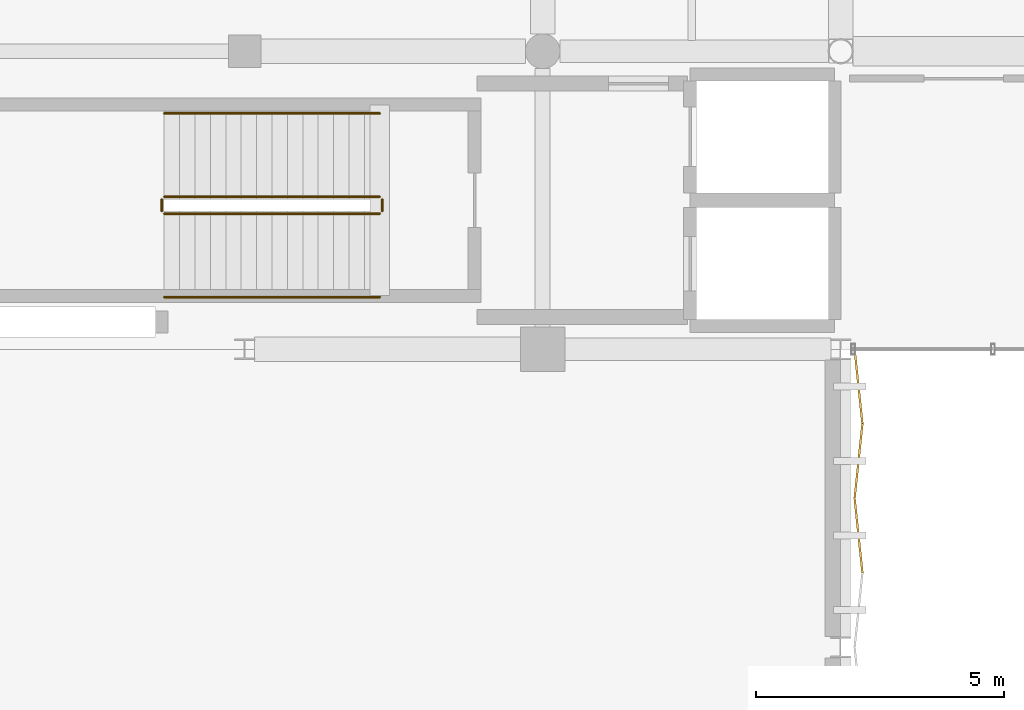
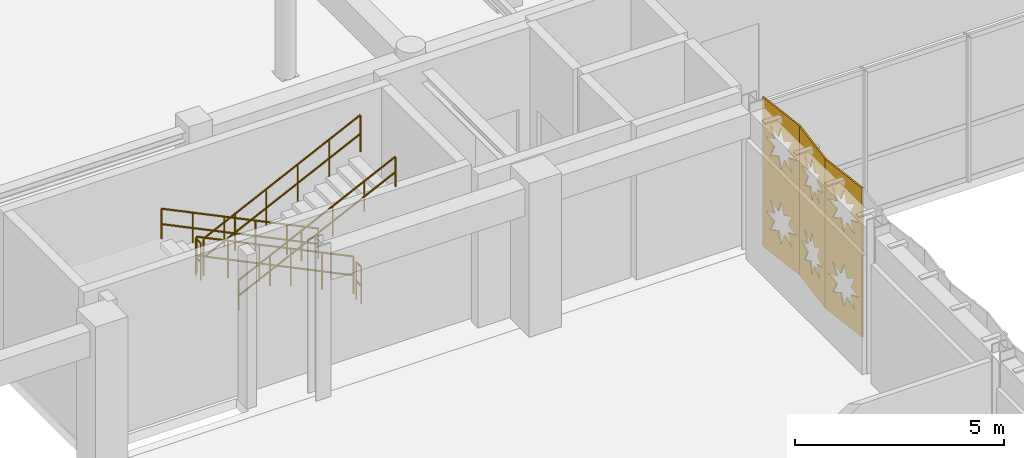
# One storey, part 115 of 116: 6 railings, 3 coverings.
"""IFC4 building model written with IfcOpenShell, lengths in metres."""

from ifc_helpers import new_model, si_unit, direction, frame, origin, origin_2d, place, context, subcontext, project, spatial, polyline, circle, outline, extrude, material, layer, layer_set, type_object, element, save


model = new_model("IFC4")

# Units and contexts
model_context = context("Model", 3, precision=1e-05, world=origin(), true_north=direction((0.0, 1.0)))
body_context = subcontext(model_context, "Body", "Model", "MODEL_VIEW")
ifc_project = project(units=[si_unit("LENGTHUNIT", "METRE"), si_unit("AREAUNIT", "SQUARE_METRE"), si_unit("VOLUMEUNIT", "CUBIC_METRE"), si_unit("PLANEANGLEUNIT", "RADIAN"), si_unit("MASSUNIT", "GRAM", prefix="KILO"), si_unit("THERMODYNAMICTEMPERATUREUNIT", "KELVIN"), si_unit("POWERUNIT", "WATT")], contexts=[model_context])

# Site, building, storey
site_placement = place(None, origin())
site = spatial("IfcSite", under=ifc_project, at=site_placement, CompositionType="ELEMENT")
building_placement = place(site_placement, origin())
building = spatial("IfcBuilding", under=site, at=building_placement, Name="Phaisarnlok Congress Hotel", CompositionType="ELEMENT")
storey_placement = place(building_placement, frame((0.0, 0.0, 10.5)))
storey = spatial("IfcBuildingStorey", under=building, at=storey_placement, Name="L02", CompositionType="ELEMENT", Elevation=10.5)

# Coverings
ifc_material_1 = material(Name="PVDF White Perforated Aluminium Alloy 5052", Category="aluminium")
ifc_layer = layer(ifc_material_1, 0.0400390625, Name="PVDF White Perforated Aluminium Alloy 5052")
ifc_layer_set = layer_set([ifc_layer], Name="PVDF White Perforated Aluminium Alloy 5052")
covering_type = type_object("IfcCoveringType", Name="COV-STAR-FOLD", PredefinedType="CLADDING", material=ifc_layer_set)
for number, where, z_axis, x_axis, name in (
    (1, (144.300048828125, 33.0, 0.06005859375), (-0.994517863207, -0.104566819602, 0.0), (0.104566819602, -0.994517863207, 0.0), "Folded star-perforated hall screen SS-02 (V2E L02)"),
    (2, (144.457763671875, 34.5, 0.06005859375), (-0.994517863207, 0.104566819602, 0.0), (-0.104566819602, -0.994517863207, 0.0), "Folded star-perforated hall screen SS-02 (V2E L02)"),
    (3, (144.300048828125, 36.0, 0.06005859375), (-0.994517863207, -0.104566819602, 0.0), (0.104566819602, -0.994517863207, 0.0), "Folded star-perforated hall screen SS-02 (V2E L02)"),
):
    element("IfcCovering", number, at=place(storey_placement, frame(where, z_axis=z_axis, x_axis=x_axis)), inside=storey, type_object=covering_type, Name=name, PredefinedType="CLADDING", context=body_context, shape_type="SweptSolid", body=[
        extrude(outline(polyline([(0.0, 0.0), (1.5082685344258453, 0.0), (1.5082685344258453, 4.35986328125), (0.0, 4.35986328125), (0.0, 0.0)]), holes=[polyline([(1.0351, 0.9736), (1.2021, 0.6421), (0.8705, 0.8091), (0.7541, 0.4565), (0.6378, 0.8091), (0.3062, 0.6421), (0.4732, 0.9736), (0.1207, 1.09), (0.4732, 1.2064), (0.3062, 1.5379), (0.6378, 1.3709), (0.7541, 1.7235), (0.8705, 1.3709), (1.2021, 1.5379), (1.0351, 1.2064), (1.3876, 1.09), (1.0351, 0.9736)]), polyline([(1.0351, 3.1536), (1.2021, 2.8221), (0.8705, 2.9891), (0.7541, 2.6365), (0.6378, 2.9891), (0.3062, 2.8221), (0.4732, 3.1536), (0.1207, 3.27), (0.4732, 3.3864), (0.3062, 3.7179), (0.6378, 3.5509), (0.7541, 3.9035), (0.8705, 3.5509), (1.2021, 3.7179), (1.0351, 3.3864), (1.3876, 3.27), (1.0351, 3.1536)])]), origin(), (0.0, 0.0, 1.0), 0.0400390625),
    ])

# Railings
ifc_material_2 = material(Name="Painted Galvanised Steel S275", Category="steel")
railing_type_1 = type_object("IfcRailingType", Name="RLG-STR-GUARD", PredefinedType="BALUSTRADE", material=ifc_material_2)
railing_1_placement = place(storey_placement, frame((134.719970703125, 39.070068359375, 0.14990234375)))
element("IfcRailing", 4, at=railing_1_placement, inside=storey, type_object=railing_type_1, Name="L02 ST-02 stair guard 1", PredefinedType="BALUSTRADE", context=body_context, shape_type="SweptSolid", body=[
    extrude(circle(Radius=0.02392578125, at=origin_2d()), frame((0.0, 0.0, 1.076171875), z_axis=(-0.900154768424, 0.0, 0.435570192832), x_axis=(0.0, -1.0, 0.0)), (0.0, 0.0, 1.0), 4.821533203125),
    extrude(circle(Radius=0.02392578125, at=origin_2d()), frame((0.0, 0.0, 0.52587890625), z_axis=(-0.900154768424, 0.0, 0.435570192832), x_axis=(0.0, -1.0, 0.0)), (0.0, 0.0, 1.0), 4.821533203125),
    extrude(circle(Radius=0.02099609375, at=origin_2d()), origin(), (0.0, 0.0, 1.0), 1.052001953125),
    extrude(circle(Radius=0.02099609375, at=origin_2d()), frame((-0.867919921875, 0.0, 0.419921875)), (0.0, 0.0, 1.0), 1.052001953125),
    extrude(circle(Radius=0.02099609375, at=origin_2d()), frame((-1.736083984375, 0.0, 0.840087890625)), (0.0, 0.0, 1.0), 1.052001953125),
    extrude(circle(Radius=0.02099609375, at=origin_2d()), frame((-2.60400390625, 0.0, 1.260009765625)), (0.0, 0.0, 1.0), 1.052001953125),
    extrude(circle(Radius=0.02099609375, at=origin_2d()), frame((-3.47216796875, 0.0, 1.68017578125)), (0.0, 0.0, 1.0), 1.052001953125),
    extrude(circle(Radius=0.02099609375, at=origin_2d()), frame((-4.340087890625, 0.0, 2.10009765625)), (0.0, 0.0, 1.0), 1.052001953125),
])
railing_2_placement = place(storey_placement, frame((130.330078125, 39.02001953125, 2.25)))
element("IfcRailing", 5, at=railing_2_placement, inside=storey, type_object=railing_type_1, Name="L02 ST-02 stair guard 2", PredefinedType="BALUSTRADE", context=body_context, shape_type="SweptSolid", body=[
    extrude(circle(Radius=0.02392578125, at=origin_2d()), frame((0.0, 0.0, 1.076171875), z_axis=(0.0, -1.0, 0.0), x_axis=(1.0, 0.0, 0.0)), (0.0, 0.0, 1.0), 0.239990234375),
    extrude(circle(Radius=0.02392578125, at=origin_2d()), frame((0.0, 0.0, 0.52587890625), z_axis=(0.0, -1.0, 0.0), x_axis=(1.0, 0.0, 0.0)), (0.0, 0.0, 1.0), 0.239990234375),
    extrude(circle(Radius=0.02099609375, at=origin_2d()), origin(), (0.0, 0.0, 1.0), 1.052001953125),
    extrude(circle(Radius=0.02099609375, at=origin_2d()), frame((0.0, -0.239990234375, 0.0)), (0.0, 0.0, 1.0), 1.052001953125),
])
railing_3_placement = place(storey_placement, frame((130.3798828125, 38.72998046875, 2.39990234375)))
element("IfcRailing", 6, at=railing_3_placement, inside=storey, type_object=railing_type_1, Name="L02 ST-02 stair guard 3", PredefinedType="BALUSTRADE", context=body_context, shape_type="SweptSolid", body=[
    extrude(circle(Radius=0.02392578125, at=origin_2d()), frame((0.0, 0.0, 1.076171875), z_axis=(0.900154768424, 0.0, 0.435570192832), x_axis=(0.0, 1.0, 0.0)), (0.0, 0.0, 1.0), 4.821533203125),
    extrude(circle(Radius=0.02392578125, at=origin_2d()), frame((0.0, 0.0, 0.52587890625), z_axis=(0.900154768424, 0.0, 0.435570192832), x_axis=(0.0, 1.0, 0.0)), (0.0, 0.0, 1.0), 4.821533203125),
    extrude(circle(Radius=0.02099609375, at=origin_2d()), origin(), (0.0, 0.0, 1.0), 1.052001953125),
    extrude(circle(Radius=0.02099609375, at=origin_2d()), frame((0.867919921875, 0.0, 0.419921875)), (0.0, 0.0, 1.0), 1.052001953125),
    extrude(circle(Radius=0.02099609375, at=origin_2d()), frame((1.736083984375, 0.0, 0.840087890625)), (0.0, 0.0, 1.0), 1.052001953125),
    extrude(circle(Radius=0.02099609375, at=origin_2d()), frame((2.60400390625, 0.0, 1.260009765625)), (0.0, 0.0, 1.0), 1.052001953125),
    extrude(circle(Radius=0.02099609375, at=origin_2d()), frame((3.47216796875, 0.0, 1.68017578125)), (0.0, 0.0, 1.0), 1.052001953125),
    extrude(circle(Radius=0.02099609375, at=origin_2d()), frame((4.340087890625, 0.0, 2.10009765625)), (0.0, 0.0, 1.0), 1.052001953125),
])
railing_4_placement = place(storey_placement, frame((134.77001953125, 39.02001953125, 0.0)))
element("IfcRailing", 7, at=railing_4_placement, inside=storey, type_object=railing_type_1, Name="L02 ST-02 stair guard 4", PredefinedType="BALUSTRADE", context=body_context, shape_type="SweptSolid", body=[
    extrude(circle(Radius=0.02392578125, at=origin_2d()), frame((0.0, 0.0, 1.076171875), z_axis=(0.0, -1.0, 0.0), x_axis=(1.0, 0.0, 0.0)), (0.0, 0.0, 1.0), 0.239990234375),
    extrude(circle(Radius=0.02392578125, at=origin_2d()), frame((0.0, 0.0, 0.52587890625), z_axis=(0.0, -1.0, 0.0), x_axis=(1.0, 0.0, 0.0)), (0.0, 0.0, 1.0), 0.239990234375),
    extrude(circle(Radius=0.02099609375, at=origin_2d()), origin(), (0.0, 0.0, 1.0), 1.052001953125),
    extrude(circle(Radius=0.02099609375, at=origin_2d()), frame((0.0, -0.239990234375, 0.0)), (0.0, 0.0, 1.0), 1.052001953125),
])
ifc_material_3 = material(Name="Brushed Stainless Steel Grade 304", Category="steel")
railing_type_2 = type_object("IfcRailingType", Name="RLG-STR-HRAIL", PredefinedType="HANDRAIL", material=ifc_material_3)
railing_5_placement = place(storey_placement, frame((134.719970703125, 40.75, 0.14990234375)))
element("IfcRailing", 8, at=railing_5_placement, inside=storey, type_object=railing_type_2, Name="L02 ST-02 stair handrail 1", PredefinedType="HANDRAIL", context=body_context, shape_type="SweptSolid", body=[
    extrude(circle(Radius=0.02392578125, at=origin_2d()), frame((0.0, 0.0, 0.8759765625), z_axis=(-0.900154768424, 0.0, 0.435570192832), x_axis=(0.0, -1.0, 0.0)), (0.0, 0.0, 1.0), 4.821533203125),
    extrude(circle(Radius=0.02392578125, at=origin_2d()), frame((0.0, 0.0, 0.42578125), z_axis=(-0.900154768424, 0.0, 0.435570192832), x_axis=(0.0, -1.0, 0.0)), (0.0, 0.0, 1.0), 4.821533203125),
    extrude(circle(Radius=0.02099609375, at=origin_2d()), origin(), (0.0, 0.0, 1.0), 0.851806640625),
    extrude(circle(Radius=0.02099609375, at=origin_2d()), frame((-0.867919921875, 0.0, 0.419921875)), (0.0, 0.0, 1.0), 0.851806640625),
    extrude(circle(Radius=0.02099609375, at=origin_2d()), frame((-1.736083984375, 0.0, 0.840087890625)), (0.0, 0.0, 1.0), 0.851806640625),
    extrude(circle(Radius=0.02099609375, at=origin_2d()), frame((-2.60400390625, 0.0, 1.260009765625)), (0.0, 0.0, 1.0), 0.851806640625),
    extrude(circle(Radius=0.02099609375, at=origin_2d()), frame((-3.47216796875, 0.0, 1.68017578125)), (0.0, 0.0, 1.0), 0.851806640625),
    extrude(circle(Radius=0.02099609375, at=origin_2d()), frame((-4.340087890625, 0.0, 2.10009765625)), (0.0, 0.0, 1.0), 0.851806640625),
])
railing_6_placement = place(storey_placement, frame((130.3798828125, 37.050048828125, 2.39990234375)))
element("IfcRailing", 9, at=railing_6_placement, inside=storey, type_object=railing_type_2, Name="L02 ST-02 stair handrail 2", PredefinedType="HANDRAIL", context=body_context, shape_type="SweptSolid", body=[
    extrude(circle(Radius=0.02392578125, at=origin_2d()), frame((0.0, 0.0, 0.8759765625), z_axis=(0.900154768424, 0.0, 0.435570192832), x_axis=(0.0, 1.0, 0.0)), (0.0, 0.0, 1.0), 4.821533203125),
    extrude(circle(Radius=0.02392578125, at=origin_2d()), frame((0.0, 0.0, 0.42578125), z_axis=(0.900154768424, 0.0, 0.435570192832), x_axis=(0.0, 1.0, 0.0)), (0.0, 0.0, 1.0), 4.821533203125),
    extrude(circle(Radius=0.02099609375, at=origin_2d()), origin(), (0.0, 0.0, 1.0), 0.851806640625),
    extrude(circle(Radius=0.02099609375, at=origin_2d()), frame((0.867919921875, 0.0, 0.419921875)), (0.0, 0.0, 1.0), 0.851806640625),
    extrude(circle(Radius=0.02099609375, at=origin_2d()), frame((1.736083984375, 0.0, 0.840087890625)), (0.0, 0.0, 1.0), 0.851806640625),
    extrude(circle(Radius=0.02099609375, at=origin_2d()), frame((2.60400390625, 0.0, 1.260009765625)), (0.0, 0.0, 1.0), 0.851806640625),
    extrude(circle(Radius=0.02099609375, at=origin_2d()), frame((3.47216796875, 0.0, 1.68017578125)), (0.0, 0.0, 1.0), 0.851806640625),
    extrude(circle(Radius=0.02099609375, at=origin_2d()), frame((4.340087890625, 0.0, 2.10009765625)), (0.0, 0.0, 1.0), 0.851806640625),
])

save(model, "model.ifc")
